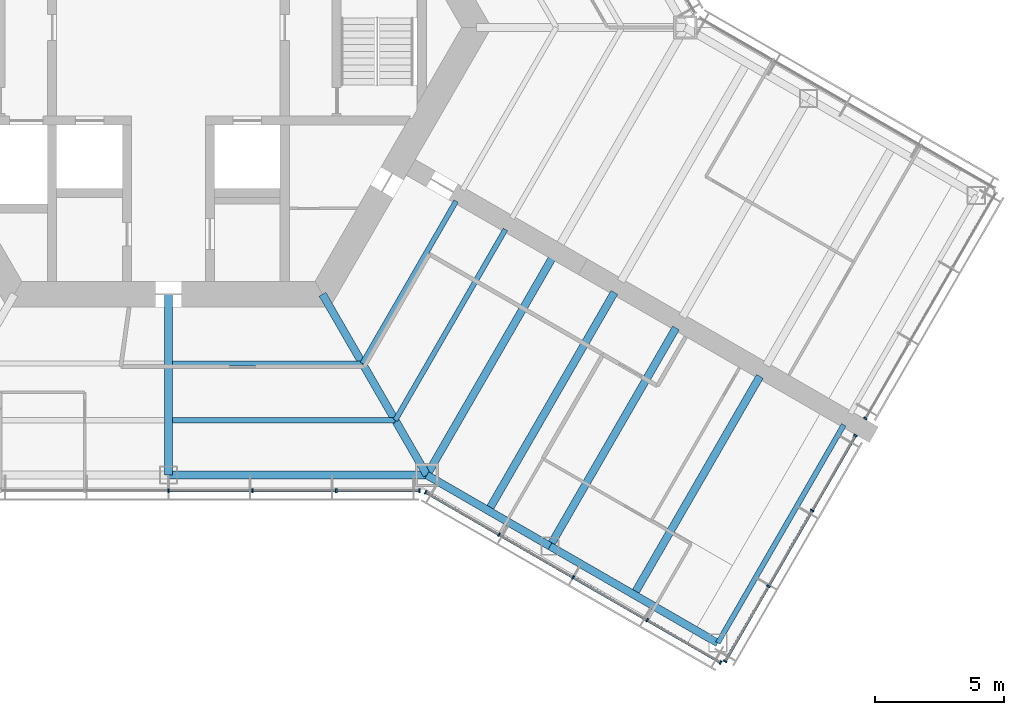
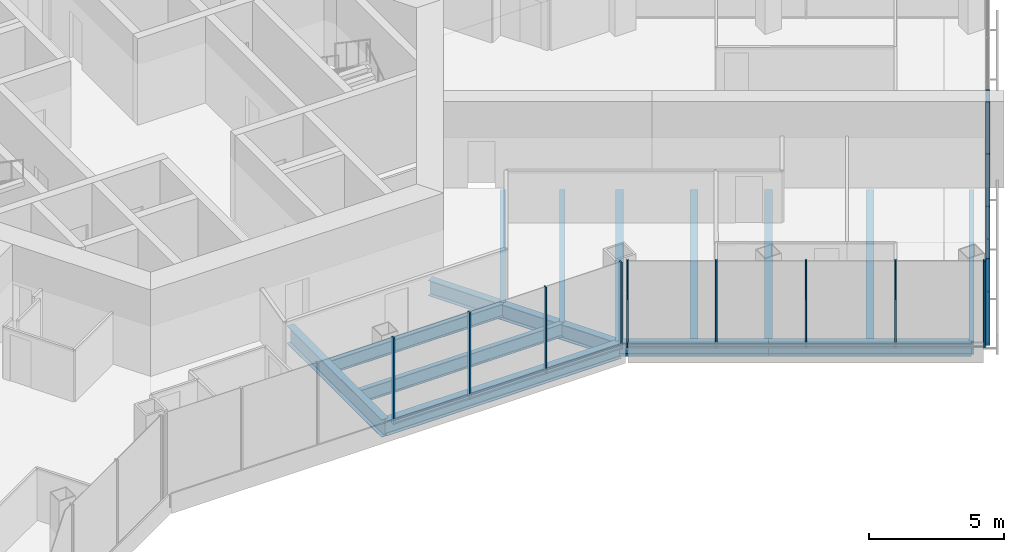
# One storey, part 5 of 18: 24 members, 14 beams, 4 elements without a shape of their own.
"""IFC4 building model written with IfcOpenShell, lengths in metres."""

import ifcopenshell
import ifcopenshell.guid

model = None  # the IFC model being written
_history = None  # IfcOwnerHistory: only IFC2X3 demands one
_inside = {}  # id of a spatial element -> (the spatial element, [elements in it])
_under = {}  # id of a project, library or spatial element -> (it, [spatial elements below it])
_declared = {}  # id of a project -> (the project, [libraries it declares])
_typed = {}  # id of a type object -> (the type object, [elements of that type])
_made_of = {}  # id of a material, layer set ... -> (it, [elements and type objects made of it])


def new_model(schema):
    """Start an empty IFC model of exactly this schema.

    Asked for "IFC4X3", IfcOpenShell would pick the latest addendum, in which some entities
    have other attributes; the version numbers below select the first issue.
    IFC2X3 requires an IfcOwnerHistory on every rooted entity: one is made here for all.
    """
    global model, _history
    if schema == "IFC4X3":
        model = ifcopenshell.file(schema_version=(4, 3, 0, 0))
    else:
        model = ifcopenshell.file(schema=schema)
    _inside.clear()
    _under.clear()
    _declared.clear()
    _typed.clear()
    _made_of.clear()
    _history = None
    if model.schema == "IFC2X3":
        org = make("IfcOrganization", Name="unknown")
        user = make(
            "IfcPersonAndOrganization",
            ThePerson=make("IfcPerson", FamilyName="unknown"),
            TheOrganization=org,
        )
        app = make(
            "IfcApplication",
            ApplicationDeveloper=org,
            Version="unknown",
            ApplicationFullName="unknown",
            ApplicationIdentifier="unknown",
        )
        _history = make(
            "IfcOwnerHistory",
            OwningUser=user,
            OwningApplication=app,
            ChangeAction="ADDED",
            CreationDate=0,
        )
    return model


def make(cls, **values):
    """One entity of the class cls with the attributes given. An attribute that is None is left unset."""
    return model.create_entity(
        cls, **{name: value for name, value in values.items() if value is not None}
    )


def rooted(cls, **values):
    """An entity with a GlobalId (a new one), such as an element, a storey or a relation."""
    return make(cls, GlobalId=ifcopenshell.guid.new(), OwnerHistory=_history, **values)


def si_unit(unit_type, name, prefix=None):
    """IfcSIUnit, for example si_unit("LENGTHUNIT", "METRE", prefix="MILLI")."""
    return make("IfcSIUnit", UnitType=unit_type, Prefix=prefix, Name=name)


def assignment(units):
    """IfcUnitAssignment: the units of a project."""
    return None if units is None else make("IfcUnitAssignment", Units=units)


def point(xyz):
    """IfcCartesianPoint."""
    return None if xyz is None else make("IfcCartesianPoint", Coordinates=xyz)


def direction(xyz):
    """IfcDirection."""
    return None if xyz is None else make("IfcDirection", DirectionRatios=xyz)


def frame(location, z_axis=None, x_axis=None):
    """IfcAxis2Placement3D, a coordinate frame: its origin and axes. An axis left out is left unset."""
    return make(
        "IfcAxis2Placement3D",
        Location=point(location),
        Axis=direction(z_axis),
        RefDirection=direction(x_axis),
    )


def frame_2d(location, x_axis=None):
    """IfcAxis2Placement2D, a coordinate frame in the plane: its origin and x axis."""
    return make(
        "IfcAxis2Placement2D", Location=point(location), RefDirection=direction(x_axis)
    )


def origin():
    """The frame at (0, 0, 0) with its axes left unset."""
    return frame((0.0, 0.0, 0.0))


def origin_2d():
    """The frame at (0, 0) in the plane with its x axis left unset."""
    return frame_2d((0.0, 0.0))


def place(relative_to, where):
    """IfcLocalPlacement: puts the frame where relative to a parent placement (None: the world)."""
    return make(
        "IfcLocalPlacement", PlacementRelTo=relative_to, RelativePlacement=where
    )


def context(
    kind, dimensions, precision=None, world=None, true_north=None, identifier=None
):
    """IfcGeometricRepresentationContext, for example the 3D "Model" context."""
    return make(
        "IfcGeometricRepresentationContext",
        ContextIdentifier=identifier,
        ContextType=kind,
        CoordinateSpaceDimension=dimensions,
        Precision=precision,
        WorldCoordinateSystem=world,
        TrueNorth=true_north,
    )


def subcontext(parent, identifier, kind, view, scale=None):
    """IfcGeometricRepresentationSubContext, for example "Body" below "Model"."""
    return make(
        "IfcGeometricRepresentationSubContext",
        ContextIdentifier=identifier,
        ContextType=kind,
        ParentContext=parent,
        TargetScale=scale,
        TargetView=view,
    )


def project(units=None, contexts=None):
    """IfcProject with its units and contexts."""
    return rooted(
        "IfcProject",
        Name="project",
        RepresentationContexts=contexts,
        UnitsInContext=assignment(units),
    )


def spatial(cls, under=None, at=None, **own):
    """A site, building, storey or space (cls), placed at a placement, below another one or the project."""
    s = rooted(cls, ObjectPlacement=at, **own)
    if under is not None:
        _under.setdefault(under.id(), (under, []))[1].append(s)
    return s


def profile(cls, at=None, kind="AREA", **sizes):
    """A parametric profile (cls). Its sizes go by their IFC names, for example OverallWidth=200.0."""
    return make(cls, ProfileType=kind, Position=at, **sizes)


def rectangle(**sizes):
    """IfcRectangleProfileDef."""
    return profile("IfcRectangleProfileDef", **sizes)


def i_section(**sizes):
    """IfcIShapeProfileDef."""
    return profile("IfcIShapeProfileDef", **sizes)


def extrude(swept, where, along, depth):
    """IfcExtrudedAreaSolid: the profile swept, set in the frame where, extruded along a direction by depth."""
    return make(
        "IfcExtrudedAreaSolid",
        SweptArea=swept,
        Position=where,
        ExtrudedDirection=direction(along),
        Depth=depth,
    )


def shape(context_of_items, identifier, shape_type, items):
    """IfcShapeRepresentation: the items that make up one representation, for example the "Body"."""
    return make(
        "IfcShapeRepresentation",
        ContextOfItems=context_of_items,
        RepresentationIdentifier=identifier,
        RepresentationType=shape_type,
        Items=items,
    )


def material(Name=None, Category=None):
    """IfcMaterial."""
    return make("IfcMaterial", Name=Name, Category=Category)


def material_profile(
    of_material, cross_section, Name=None, Category=None, Priority=None
):
    """IfcMaterialProfile: a cross section and its material."""
    return make(
        "IfcMaterialProfile",
        Name=Name,
        Material=of_material,
        Profile=cross_section,
        Priority=Priority,
        Category=Category,
    )


def profile_set(profiles, Name=None, composite=None):
    """IfcMaterialProfileSet."""
    return make(
        "IfcMaterialProfileSet",
        Name=Name,
        MaterialProfiles=profiles,
        CompositeProfile=composite,
    )


def made_of(thing, what):
    """Note that an element or type object is made of a material, layer set ...; save() writes the relation."""
    if what is not None:
        _made_of.setdefault(what.id(), (what, []))[1].append(thing)
    return thing


def type_object(cls, material=None, **own):
    """A type object (cls), such as IfcWallType, which elements share."""
    return made_of(rooted(cls, **own), material)


def element(
    cls,
    number,
    at=None,
    inside=None,
    cuts=None,
    type_object=None,
    material=None,
    context=None,
    identifier="Body",
    shape_type=None,
    held_by="IfcProductDefinitionShape",
    body=None,
    shapes=None,
    **own,
):
    """One element of the class cls, such as IfcWall. Its Tag is "e" and its number.

    at: its placement. inside: the storey or other place that contains it. cuts: it is an
    opening in that element (IfcRelVoidsElement). A single representation is given by context,
    identifier, shape_type and body (its items); several are given by shapes. held_by: the class
    of the entity that holds the representations. save() writes the other relations.
    """
    e = rooted(cls, Tag="e%d" % number, ObjectPlacement=at, **own)
    if body is not None:
        shapes = [shape(context, identifier, shape_type, body)]
    if shapes is not None:
        e.Representation = make(held_by, Representations=shapes)
    if inside is not None:
        _inside.setdefault(inside.id(), (inside, []))[1].append(e)
    if cuts is not None:
        rooted(
            "IfcRelVoidsElement", RelatingBuildingElement=cuts, RelatedOpeningElement=e
        )
    if type_object is not None:
        _typed.setdefault(type_object.id(), (type_object, []))[1].append(e)
    return made_of(e, material)


def aggregate(whole, parts):
    """IfcRelAggregates: a whole, such as a stair, and the parts it consists of."""
    return rooted("IfcRelAggregates", RelatingObject=whole, RelatedObjects=parts)


def save(model, path):
    """Write the relations noted so far, then the file.

    IfcRelAggregates (storeys below a building ...), IfcRelContainedInSpatialStructure (elements
    in a storey), IfcRelDefinesByType, IfcRelAssociatesMaterial and IfcRelDeclares: one each for
    every whole, place, type object, material and project.
    """
    for whole, parts in _under.values():
        aggregate(whole, parts)
    for where, things in _inside.values():
        rooted(
            "IfcRelContainedInSpatialStructure",
            RelatedElements=things,
            RelatingStructure=where,
        )
    for kind, things in _typed.values():
        rooted("IfcRelDefinesByType", RelatedObjects=things, RelatingType=kind)
    for what, things in _made_of.values():
        rooted("IfcRelAssociatesMaterial", RelatedObjects=things, RelatingMaterial=what)
    for by, libraries in _declared.values():
        rooted("IfcRelDeclares", RelatingContext=by, RelatedDefinitions=libraries)
    model.write(path)


model = new_model("IFC4")

# Units and contexts
model_context = context("Model", 3, precision=1e-05, world=origin(), true_north=direction((0.0, 1.0)))
body_context = subcontext(model_context, "Body", "Model", "MODEL_VIEW")
ifc_project = project(units=[si_unit("LENGTHUNIT", "METRE"), si_unit("AREAUNIT", "SQUARE_METRE"), si_unit("VOLUMEUNIT", "CUBIC_METRE"), si_unit("PLANEANGLEUNIT", "RADIAN"), si_unit("MASSUNIT", "GRAM", prefix="KILO")], contexts=[model_context])

# Site, building, storey
site_placement = place(None, origin())
site = spatial("IfcSite", under=ifc_project, at=site_placement, CompositionType="ELEMENT")
building_placement = place(site_placement, origin())
building = spatial("IfcBuilding", under=site, at=building_placement, Name="Kasaneha Research Tower", CompositionType="ELEMENT")
storey_placement = place(building_placement, frame((0.0, 0.0, 199.39990234375)))
storey = spatial("IfcBuildingStorey", under=building, at=storey_placement, Name="L50", CompositionType="ELEMENT", Elevation=199.39990234375)

# Beams
ifc_material_1 = material(Name="Steel SN490B", Category="steel")
ifc_material_profile_1 = material_profile(ifc_material_1, i_section(OverallWidth=0.199951171875, OverallDepth=0.60009765625, WebThickness=0.010986328125, FlangeThickness=0.01708984375, FilletRadius=0.012939453125, at=origin_2d()), Name="H-600x200x11x17")
ifc_profile_set_1 = profile_set([ifc_material_profile_1], Name="Steel SN490B")
beam_type_1 = type_object("IfcBeamType", Name="B1-3 secondary beam H-600x200x11x17", PredefinedType="JOIST", material=ifc_profile_set_1)
beam_1_placement = place(storey_placement, frame((7.505615234375, -13.0, -0.449951171875), z_axis=(-1.0, 0.0, 0.0), x_axis=(0.0, -1.0, 0.0)))
element("IfcBeam", 1, at=beam_1_placement, inside=storey, type_object=beam_type_1, Name="Secondary beam RS270R1 L50", PredefinedType="JOIST", context=body_context, shape_type="SweptSolid", body=[
    extrude(i_section(OverallWidth=0.199951171875, OverallDepth=0.60009765625, WebThickness=0.010986328125, FlangeThickness=0.01708984375, FilletRadius=0.012939453125, at=origin_2d()), origin(), (0.0, 0.0, 1.0), 7.355712890625),
])
beam_2_placement = place(storey_placement, frame((8.775634765625, -15.199951171875, -0.449951171875), z_axis=(-1.0, 0.0, 0.0), x_axis=(0.0, -1.0, 0.0)))
element("IfcBeam", 2, at=beam_2_placement, inside=storey, type_object=beam_type_1, Name="Secondary beam RS270R2 L50", PredefinedType="JOIST", context=body_context, shape_type="SweptSolid", body=[
    extrude(i_section(OverallWidth=0.199951171875, OverallDepth=0.60009765625, WebThickness=0.010986328125, FlangeThickness=0.01708984375, FilletRadius=0.012939453125, at=origin_2d()), origin(), (0.0, 0.0, 1.0), 8.625732421875),
])
beam_3_placement = place(storey_placement, frame((7.505615234375, -13.0, -0.449951171875), z_axis=(0.499993340521, 0.866029248602, 0.0), x_axis=(-0.866029248602, 0.499993340521, 0.0)))
element("IfcBeam", 3, at=beam_3_placement, inside=storey, type_object=beam_type_1, Name="Secondary beam RS330L1 L50", PredefinedType="JOIST", context=body_context, shape_type="SweptSolid", body=[
    extrude(i_section(OverallWidth=0.199951171875, OverallDepth=0.60009765625, WebThickness=0.010986328125, FlangeThickness=0.01708984375, FilletRadius=0.012939453125, at=origin_2d()), origin(), (0.0, 0.0, 1.0), 7.25537109375),
])
beam_4_placement = place(storey_placement, frame((8.775634765625, -15.199951171875, -0.449951171875), z_axis=(0.500004205306, 0.866022975836, 0.0), x_axis=(-0.866022975836, 0.500004205306, 0.0)))
element("IfcBeam", 4, at=beam_4_placement, inside=storey, type_object=beam_type_1, Name="Secondary beam RS330L2 L50", PredefinedType="JOIST", context=body_context, shape_type="SweptSolid", body=[
    extrude(i_section(OverallWidth=0.199951171875, OverallDepth=0.60009765625, WebThickness=0.010986328125, FlangeThickness=0.01708984375, FilletRadius=0.012939453125, at=origin_2d()), origin(), (0.0, 0.0, 1.0), 8.52587890625),
])
ifc_material_2 = material(Name="Steel SN490B", Category="steel")
ifc_material_profile_2 = material_profile(ifc_material_2, i_section(OverallWidth=0.300048828125, OverallDepth=0.58203125, WebThickness=0.011962890625, FlangeThickness=0.01708984375, FilletRadius=0.012939453125, at=origin_2d()), Name="H-582x300x12x17")
ifc_profile_set_2 = profile_set([ifc_material_profile_2], Name="Steel SN490B")
beam_type_2 = type_object("IfcBeamType", Name="B2-3 secondary beam H-582x300x12x17", PredefinedType="JOIST", material=ifc_profile_set_2)
for number, where, z_axis, x_axis, name in (
    (5, (12.381591796875, -18.695556640625, -0.44091796875), (0.499995560238, 0.866027967067, 0.0), (-0.866027967067, 0.499995560238, 0.0), "Secondary beam WBCP1 L50"),
    (6, (18.0107421875, -21.945556640625, -0.44091796875), (0.499995560238, 0.866027967067, 0.0), (-0.866027967067, 0.499995560238, 0.0), "Secondary beam WBCP2 L50"),
):
    element("IfcBeam", number, at=place(storey_placement, frame(where, z_axis=z_axis, x_axis=x_axis)), inside=storey, type_object=beam_type_2, Name=name, PredefinedType="JOIST", context=body_context, shape_type="SweptSolid", body=[
        extrude(i_section(OverallWidth=0.300048828125, OverallDepth=0.58203125, WebThickness=0.011962890625, FlangeThickness=0.01708984375, FilletRadius=0.012939453125, at=origin_2d()), origin(), (0.0, 0.0, 1.0), 9.75),
    ])

# Curtain wall, members
ifc_material_3 = material(Name="Glass and aluminium", Category="aluminium")
curtain_wall_type = type_object("IfcCurtainWallType", Name="Mid-rise office curtain wall", PredefinedType="USERDEFINED", material=ifc_material_3)
curtain_wall_1_placement = place(storey_placement, origin())
curtain_wall_1 = element("IfcCurtainWall", 7, at=curtain_wall_1_placement, inside=storey, type_object=curtain_wall_type, Name="CW-O2 L50 run 01a", ObjectType="UNITISED CURTAIN WALL", PredefinedType="USERDEFINED")
ifc_material_4 = material(Name="Aluminium 6063-T6", Category="aluminium")
ifc_material_profile_3 = material_profile(ifc_material_4, rectangle(XDim=0.06005859375, YDim=0.14990234375, at=origin_2d()), Name="CW-O2 mullion 60x150")
ifc_profile_set_3 = profile_set([ifc_material_profile_3], Name="Aluminium 6063-T6")
member_type_1 = type_object("IfcMemberType", Name="CW-O2 mullion", PredefinedType="MULLION", material=ifc_profile_set_3)
member_1_placement = place(storey_placement, frame((0.0, -17.92041015625, 0.0), z_axis=(0.0, 0.0, 1.0), x_axis=(1.0, 0.0, 0.0)))
member_1 = element("IfcMember", 8, at=member_1_placement, type_object=member_type_1, Name="CW-O2 mullion 4", PredefinedType="MULLION", context=body_context, shape_type="SweptSolid", body=[
    extrude(rectangle(XDim=0.06005859375, YDim=0.14990234375, at=origin_2d()), origin(), (0.0, 0.0, 1.0), 3.900146484375),
])
member_2_placement = place(storey_placement, frame((3.246337890625, -17.92041015625, 0.0), z_axis=(0.0, 0.0, 1.0), x_axis=(1.0, 0.0, 0.0)))
member_2 = element("IfcMember", 9, at=member_2_placement, type_object=member_type_1, Name="CW-O2 mullion 5", PredefinedType="MULLION", context=body_context, shape_type="SweptSolid", body=[
    extrude(rectangle(XDim=0.06005859375, YDim=0.14990234375, at=origin_2d()), origin(), (0.0, 0.0, 1.0), 3.900146484375),
])
member_3_placement = place(storey_placement, frame((6.492919921875, -17.92041015625, 0.0), z_axis=(0.0, 0.0, 1.0), x_axis=(1.0, 0.0, 0.0)))
member_3 = element("IfcMember", 10, at=member_3_placement, type_object=member_type_1, Name="CW-O2 mullion 6", PredefinedType="MULLION", context=body_context, shape_type="SweptSolid", body=[
    extrude(rectangle(XDim=0.06005859375, YDim=0.14990234375, at=origin_2d()), origin(), (0.0, 0.0, 1.0), 3.900146484375),
])
member_4_placement = place(storey_placement, frame((9.709228515625, -17.92041015625, 0.0), z_axis=(0.0, 0.0, 1.0), x_axis=(1.0, 0.0, 0.0)))
member_4 = element("IfcMember", 11, at=member_4_placement, type_object=member_type_1, Name="CW-O2 mullion 7", PredefinedType="MULLION", context=body_context, shape_type="SweptSolid", body=[
    extrude(rectangle(XDim=0.06005859375, YDim=0.14990234375, at=origin_2d()), origin(), (0.0, 0.0, 1.0), 3.900146484375),
])

curtain_wall_2_placement = place(storey_placement, origin())
curtain_wall_2 = element("IfcCurtainWall", 12, at=curtain_wall_2_placement, inside=storey, type_object=curtain_wall_type, Name="CW-O2 L50 run 02a", ObjectType="UNITISED CURTAIN WALL", PredefinedType="USERDEFINED")
member_5_placement = place(storey_placement, frame((9.951904296875, -17.985595703125, 0.0), z_axis=(0.0, 0.0, 1.0), x_axis=(0.866025411464, -0.499999986699, 0.0)))
member_5 = element("IfcMember", 13, at=member_5_placement, type_object=member_type_1, Name="CW-O2 mullion 1", PredefinedType="MULLION", context=body_context, shape_type="SweptSolid", body=[
    extrude(rectangle(XDim=0.06005859375, YDim=0.14990234375, at=origin_2d()), origin(), (0.0, 0.0, 1.0), 3.900146484375),
])
member_6_placement = place(storey_placement, frame((12.792236328125, -19.62548828125, 0.0), z_axis=(0.0, 0.0, 1.0), x_axis=(0.866025411464, -0.499999986699, 0.0)))
member_6 = element("IfcMember", 14, at=member_6_placement, type_object=member_type_1, Name="CW-O2 mullion 2", PredefinedType="MULLION", context=body_context, shape_type="SweptSolid", body=[
    extrude(rectangle(XDim=0.06005859375, YDim=0.14990234375, at=origin_2d()), origin(), (0.0, 0.0, 1.0), 3.900146484375),
])
member_7_placement = place(storey_placement, frame((15.65869140625, -21.2802734375, 0.0), z_axis=(0.0, 0.0, 1.0), x_axis=(0.866025411464, -0.499999986699, 0.0)))
member_7 = element("IfcMember", 15, at=member_7_placement, type_object=member_type_1, Name="CW-O2 mullion 3", PredefinedType="MULLION", context=body_context, shape_type="SweptSolid", body=[
    extrude(rectangle(XDim=0.06005859375, YDim=0.14990234375, at=origin_2d()), origin(), (0.0, 0.0, 1.0), 3.900146484375),
])
member_8_placement = place(storey_placement, frame((18.52490234375, -22.935302734375, 0.0), z_axis=(0.0, 0.0, 1.0), x_axis=(0.866025411464, -0.499999986699, 0.0)))
member_8 = element("IfcMember", 16, at=member_8_placement, type_object=member_type_1, Name="CW-O2 mullion 4", PredefinedType="MULLION", context=body_context, shape_type="SweptSolid", body=[
    extrude(rectangle(XDim=0.06005859375, YDim=0.14990234375, at=origin_2d()), origin(), (0.0, 0.0, 1.0), 3.900146484375),
])
member_9_placement = place(storey_placement, frame((21.365478515625, -24.5751953125, 0.0), z_axis=(0.0, 0.0, 1.0), x_axis=(0.866025411464, -0.499999986699, 0.0)))
member_9 = element("IfcMember", 17, at=member_9_placement, type_object=member_type_1, Name="CW-O2 mullion 5", PredefinedType="MULLION", context=body_context, shape_type="SweptSolid", body=[
    extrude(rectangle(XDim=0.06005859375, YDim=0.14990234375, at=origin_2d()), origin(), (0.0, 0.0, 1.0), 3.900146484375),
])

curtain_wall_3_placement = place(storey_placement, origin())
curtain_wall_3 = element("IfcCurtainWall", 18, at=curtain_wall_3_placement, inside=storey, type_object=curtain_wall_type, Name="CW-O2 L50 run 03a", ObjectType="UNITISED CURTAIN WALL", PredefinedType="USERDEFINED")
member_10_placement = place(storey_placement, frame((21.54296875, -24.527587890625, 0.0), z_axis=(0.0, 0.0, 1.0), x_axis=(0.500000011442, 0.866025397178, 0.0)))
member_10 = element("IfcMember", 19, at=member_10_placement, type_object=member_type_1, Name="CW-O2 mullion 1", PredefinedType="MULLION", context=body_context, shape_type="SweptSolid", body=[
    extrude(rectangle(XDim=0.06005859375, YDim=0.14990234375, at=origin_2d()), origin(), (0.0, 0.0, 1.0), 3.900146484375),
])
member_11_placement = place(storey_placement, frame((23.2197265625, -21.62353515625, 0.0), z_axis=(0.0, 0.0, 1.0), x_axis=(0.500000011442, 0.866025397178, 0.0)))
member_11 = element("IfcMember", 20, at=member_11_placement, type_object=member_type_1, Name="CW-O2 mullion 2", PredefinedType="MULLION", context=body_context, shape_type="SweptSolid", body=[
    extrude(rectangle(XDim=0.06005859375, YDim=0.14990234375, at=origin_2d()), origin(), (0.0, 0.0, 1.0), 3.900146484375),
])
member_12_placement = place(storey_placement, frame((24.911376953125, -18.693359375, 0.0), z_axis=(0.0, 0.0, 1.0), x_axis=(0.500000011442, 0.866025397178, 0.0)))
member_12 = element("IfcMember", 21, at=member_12_placement, type_object=member_type_1, Name="CW-O2 mullion 3", PredefinedType="MULLION", context=body_context, shape_type="SweptSolid", body=[
    extrude(rectangle(XDim=0.06005859375, YDim=0.14990234375, at=origin_2d()), origin(), (0.0, 0.0, 1.0), 3.900146484375),
])
member_13_placement = place(storey_placement, frame((26.587890625, -15.789306640625, 0.0), z_axis=(0.0, 0.0, 1.0), x_axis=(0.500000011442, 0.866025397178, 0.0)))
member_13 = element("IfcMember", 22, at=member_13_placement, type_object=member_type_1, Name="CW-O2 mullion 4", PredefinedType="MULLION", context=body_context, shape_type="SweptSolid", body=[
    extrude(rectangle(XDim=0.06005859375, YDim=0.14990234375, at=origin_2d()), origin(), (0.0, 0.0, 1.0), 3.900146484375),
])

# Curtain wall, member
curtain_wall_4_placement = place(storey_placement, origin())
curtain_wall_4 = element("IfcCurtainWall", 23, at=curtain_wall_4_placement, inside=storey, type_object=curtain_wall_type, Name="CW-O2 L50 run 04a", ObjectType="UNITISED CURTAIN WALL", PredefinedType="USERDEFINED")
member_14_placement = place(storey_placement, frame((26.968017578125, -15.131103515625, 0.0), z_axis=(0.0, 0.0, 1.0), x_axis=(0.500000011442, 0.866025397178, 0.0)))
member_14 = element("IfcMember", 24, at=member_14_placement, type_object=member_type_1, Name="CW-O2 mullion 1", PredefinedType="MULLION", context=body_context, shape_type="SweptSolid", body=[
    extrude(rectangle(XDim=0.06005859375, YDim=0.14990234375, at=origin_2d()), origin(), (0.0, 0.0, 1.0), 3.900146484375),
])
aggregate(curtain_wall_4, [member_14])

# Member
ifc_material_5 = material(Name="Aluminium 6063-T6", Category="aluminium")
ifc_material_profile_4 = material_profile(ifc_material_5, rectangle(XDim=0.110107421875, YDim=0.06005859375, at=origin_2d()), Name="CW-O2 transom 110x60")
ifc_profile_set_4 = profile_set([ifc_material_profile_4], Name="Aluminium 6063-T6")
member_type_2 = type_object("IfcMemberType", Name="CW-O2 transom", PredefinedType="USERDEFINED", material=ifc_profile_set_4)
member_15_placement = place(storey_placement, frame((0.030029296875, -17.92041015625, 0.030029296875), z_axis=(1.0, 0.0, 0.0), x_axis=(0.0, 1.0, 0.0)))
member_15 = element("IfcMember", 25, at=member_15_placement, type_object=member_type_2, Name="CW-O2 transom 4", ObjectType="TRANSOM", PredefinedType="USERDEFINED", context=body_context, shape_type="SweptSolid", body=[
    extrude(rectangle(XDim=0.110107421875, YDim=0.06005859375, at=origin_2d()), origin(), (0.0, 0.0, 1.0), 3.186279296875),
])

member_16_placement = place(storey_placement, frame((3.2763671875, -17.92041015625, 0.030029296875), z_axis=(1.0, 0.0, 0.0), x_axis=(0.0, 1.0, 0.0)))
member_16 = element("IfcMember", 26, at=member_16_placement, type_object=member_type_2, Name="CW-O2 transom 5", ObjectType="TRANSOM", PredefinedType="USERDEFINED", context=body_context, shape_type="SweptSolid", body=[
    extrude(rectangle(XDim=0.110107421875, YDim=0.06005859375, at=origin_2d()), origin(), (0.0, 0.0, 1.0), 3.1865234375),
])

member_17_placement = place(storey_placement, frame((6.522705078125, -17.92041015625, 0.030029296875), z_axis=(1.0, 0.0, 0.0), x_axis=(0.0, 1.0, 0.0)))
member_17 = element("IfcMember", 27, at=member_17_placement, type_object=member_type_2, Name="CW-O2 transom 6", ObjectType="TRANSOM", PredefinedType="USERDEFINED", context=body_context, shape_type="SweptSolid", body=[
    extrude(rectangle(XDim=0.110107421875, YDim=0.06005859375, at=origin_2d()), origin(), (0.0, 0.0, 1.0), 3.156494140625),
])

aggregate(curtain_wall_1, [member_1, member_2, member_3, member_4, member_15, member_16, member_17])

member_18_placement = place(storey_placement, frame((9.977783203125, -18.00048828125, 0.030029296875), z_axis=(0.866022692473, -0.500004696101, 0.0), x_axis=(0.500004696101, 0.866022692473, 0.0)))
member_18 = element("IfcMember", 28, at=member_18_placement, type_object=member_type_2, Name="CW-O2 transom 1", ObjectType="TRANSOM", PredefinedType="USERDEFINED", context=body_context, shape_type="SweptSolid", body=[
    extrude(rectangle(XDim=0.110107421875, YDim=0.06005859375, at=origin_2d()), origin(), (0.0, 0.0, 1.0), 3.2197265625),
])

member_19_placement = place(storey_placement, frame((12.818115234375, -19.640380859375, 0.030029296875), z_axis=(0.866015446554, -0.500017246033, 0.0), x_axis=(0.500017246033, 0.866015446554, 0.0)))
member_19 = element("IfcMember", 29, at=member_19_placement, type_object=member_type_2, Name="CW-O2 transom 2", ObjectType="TRANSOM", PredefinedType="USERDEFINED", context=body_context, shape_type="SweptSolid", body=[
    extrude(rectangle(XDim=0.110107421875, YDim=0.06005859375, at=origin_2d()), origin(), (0.0, 0.0, 1.0), 3.25),
])

member_20_placement = place(storey_placement, frame((15.6845703125, -21.29541015625, 0.030029296875), z_axis=(0.86604797581, -0.499960902066, 0.0), x_axis=(0.499960902066, 0.86604797581, 0.0)))
member_20 = element("IfcMember", 30, at=member_20_placement, type_object=member_type_2, Name="CW-O2 transom 3", ObjectType="TRANSOM", PredefinedType="USERDEFINED", context=body_context, shape_type="SweptSolid", body=[
    extrude(rectangle(XDim=0.110107421875, YDim=0.06005859375, at=origin_2d()), origin(), (0.0, 0.0, 1.0), 3.249755859375),
])

member_21_placement = place(storey_placement, frame((18.551025390625, -22.9501953125, 0.030029296875), z_axis=(0.866022692473, -0.500004696101, 0.0), x_axis=(0.500004696101, 0.866022692473, 0.0)))
member_21 = element("IfcMember", 31, at=member_21_placement, type_object=member_type_2, Name="CW-O2 transom 4", ObjectType="TRANSOM", PredefinedType="USERDEFINED", context=body_context, shape_type="SweptSolid", body=[
    extrude(rectangle(XDim=0.110107421875, YDim=0.06005859375, at=origin_2d()), origin(), (0.0, 0.0, 1.0), 3.2197265625),
])

aggregate(curtain_wall_2, [member_5, member_6, member_7, member_8, member_9, member_18, member_19, member_20, member_21])

member_22_placement = place(storey_placement, frame((21.557861328125, -24.50146484375, 0.030029296875), z_axis=(0.500021914551, 0.866012751043, 0.0), x_axis=(-0.866012751043, 0.500021914551, 0.0)))
member_22 = element("IfcMember", 32, at=member_22_placement, type_object=member_type_2, Name="CW-O2 transom 1", ObjectType="TRANSOM", PredefinedType="USERDEFINED", context=body_context, shape_type="SweptSolid", body=[
    extrude(rectangle(XDim=0.110107421875, YDim=0.06005859375, at=origin_2d()), origin(), (0.0, 0.0, 1.0), 3.293212890625),
])

member_23_placement = place(storey_placement, frame((23.234619140625, -21.597412109375, 0.030029296875), z_axis=(0.500010745865, 0.866019199568, 0.0), x_axis=(-0.866019199568, 0.500010745865, 0.0)))
member_23 = element("IfcMember", 33, at=member_23_placement, type_object=member_type_2, Name="CW-O2 transom 2", ObjectType="TRANSOM", PredefinedType="USERDEFINED", context=body_context, shape_type="SweptSolid", body=[
    extrude(rectangle(XDim=0.110107421875, YDim=0.06005859375, at=origin_2d()), origin(), (0.0, 0.0, 1.0), 3.3232421875),
])

member_24_placement = place(storey_placement, frame((24.92626953125, -18.66748046875, 0.030029296875), z_axis=(0.500021914551, 0.866012751043, 0.0), x_axis=(-0.866012751043, 0.500021914551, 0.0)))
member_24 = element("IfcMember", 34, at=member_24_placement, type_object=member_type_2, Name="CW-O2 transom 3", ObjectType="TRANSOM", PredefinedType="USERDEFINED", context=body_context, shape_type="SweptSolid", body=[
    extrude(rectangle(XDim=0.110107421875, YDim=0.06005859375, at=origin_2d()), origin(), (0.0, 0.0, 1.0), 3.293212890625),
])

aggregate(curtain_wall_3, [member_10, member_11, member_12, member_13, member_22, member_23, member_24])

# Beams
ifc_material_6 = material(Name="Steel SN490B", Category="steel")
ifc_material_profile_5 = material_profile(ifc_material_6, i_section(OverallWidth=0.300048828125, OverallDepth=0.699951171875, WebThickness=0.012939453125, FlangeThickness=0.02392578125, FilletRadius=0.01806640625, at=origin_2d()), Name="H-700x300x13x24")
ifc_profile_set_5 = profile_set([ifc_material_profile_5], Name="Steel SN490B")
beam_type_3 = type_object("IfcBeamType", Name="G1-3 radial girder H-700x300x13x24", PredefinedType="BEAM", material=ifc_profile_set_5)
beam_5_placement = place(storey_placement, frame((5.961181640625, -10.324951171875, -0.5), z_axis=(0.49999105496, -0.866030568144, 0.0), x_axis=(0.866030568144, 0.49999105496, 0.0)))
element("IfcBeam", 35, at=beam_5_placement, inside=storey, type_object=beam_type_3, Name="Radial girder RV300 L50", PredefinedType="BEAM", context=body_context, shape_type="SweptSolid", body=[
    extrude(i_section(OverallWidth=0.300048828125, OverallDepth=0.699951171875, WebThickness=0.012939453125, FlangeThickness=0.02392578125, FilletRadius=0.01806640625, at=origin_2d()), origin(), (0.0, 0.0, 1.0), 8.077880859375),
])
ifc_material_7 = material(Name="Steel SN490B", Category="steel")
ifc_material_profile_6 = material_profile(ifc_material_7, i_section(OverallWidth=0.300048828125, OverallDepth=0.800048828125, WebThickness=0.013916015625, FlangeThickness=0.02587890625, FilletRadius=0.01806640625, at=origin_2d()), Name="H-800x300x14x26")
ifc_profile_set_6 = profile_set([ifc_material_profile_6], Name="Steel SN490B")
beam_type_4 = type_object("IfcBeamType", Name="G2-3 radial girder H-800x300x14x26", PredefinedType="BEAM", material=ifc_profile_set_6)
beam_6_placement = place(storey_placement, frame((0.0, -10.324951171875, -0.5498046875), z_axis=(0.0, -1.0, 0.0), x_axis=(1.0, 0.0, 0.0)))
element("IfcBeam", 36, at=beam_6_placement, inside=storey, type_object=beam_type_4, Name="Radial girder RM270 L50", PredefinedType="BEAM", context=body_context, shape_type="SweptSolid", body=[
    extrude(i_section(OverallWidth=0.300048828125, OverallDepth=0.800048828125, WebThickness=0.013916015625, FlangeThickness=0.02587890625, FilletRadius=0.01806640625, at=origin_2d()), origin(), (0.0, 0.0, 1.0), 6.99560546875),
])
ifc_material_8 = material(Name="Steel SN490B", Category="steel")
ifc_material_profile_7 = material_profile(ifc_material_8, i_section(OverallWidth=0.300048828125, OverallDepth=0.69189453125, WebThickness=0.012939453125, FlangeThickness=0.02001953125, FilletRadius=0.01806640625, at=origin_2d()), Name="H-692x300x13x20")
ifc_profile_set_7 = profile_set([ifc_material_profile_7], Name="Steel SN490B")
beam_type_5 = type_object("IfcBeamType", Name="G3-3 plate edge girder H-692x300x13x20", PredefinedType="BEAM", material=ifc_profile_set_7)
beam_7_placement = place(storey_placement, frame((10.0, -17.320556640625, -0.495849609375), z_axis=(0.499995560238, 0.866027967067, 0.0), x_axis=(-0.866027967067, 0.499995560238, 0.0)))
element("IfcBeam", 37, at=beam_7_placement, inside=storey, type_object=beam_type_5, Name="Plate edge girder PECP L50", PredefinedType="BEAM", context=body_context, shape_type="SweptSolid", body=[
    extrude(i_section(OverallWidth=0.300048828125, OverallDepth=0.69189453125, WebThickness=0.012939453125, FlangeThickness=0.02001953125, FilletRadius=0.01806640625, at=origin_2d()), origin(), (0.0, 0.0, 1.0), 9.75),
])
ifc_material_9 = material(Name="Steel SN490B", Category="steel")
ifc_material_profile_8 = material_profile(ifc_material_9, i_section(OverallWidth=0.300048828125, OverallDepth=0.699951171875, WebThickness=0.012939453125, FlangeThickness=0.02392578125, FilletRadius=0.01806640625, at=origin_2d()), Name="H-700x300x13x24")
ifc_profile_set_8 = profile_set([ifc_material_profile_8], Name="Steel SN490B")
beam_type_6 = type_object("IfcBeamType", Name="G4-3 wing girder H-700x300x13x24", PredefinedType="BEAM", material=ifc_profile_set_8)
beam_8_placement = place(storey_placement, frame((14.76318359375, -20.070556640625, -0.5), z_axis=(0.499995560238, 0.866027967067, 0.0), x_axis=(-0.866027967067, 0.499995560238, 0.0)))
element("IfcBeam", 38, at=beam_8_placement, inside=storey, type_object=beam_type_6, Name="Wing girder WGCP L50", PredefinedType="BEAM", context=body_context, shape_type="SweptSolid", body=[
    extrude(i_section(OverallWidth=0.300048828125, OverallDepth=0.699951171875, WebThickness=0.012939453125, FlangeThickness=0.02392578125, FilletRadius=0.01806640625, at=origin_2d()), origin(), (0.0, 0.0, 1.0), 9.75),
])
ifc_material_10 = material(Name="Steel SN490B", Category="steel")
ifc_material_profile_9 = material_profile(ifc_material_10, i_section(OverallWidth=0.300048828125, OverallDepth=0.69189453125, WebThickness=0.012939453125, FlangeThickness=0.02001953125, FilletRadius=0.01806640625, at=origin_2d()), Name="H-692x300x13x20")
ifc_profile_set_9 = profile_set([ifc_material_profile_9], Name="Steel SN490B")
beam_type_7 = type_object("IfcBeamType", Name="SB1-3 spandrel beam H-692x300x13x20", PredefinedType="SPANDREL", material=ifc_profile_set_9)
beam_9_placement = place(storey_placement, frame((10.0, -17.320556640625, -0.495849609375), z_axis=(-1.0, 0.0, 0.0), x_axis=(0.0, -1.0, 0.0)))
element("IfcBeam", 39, at=beam_9_placement, inside=storey, type_object=beam_type_7, Name="Spandrel beam SR270R L50", PredefinedType="SPANDREL", context=body_context, shape_type="SweptSolid", body=[
    extrude(i_section(OverallWidth=0.300048828125, OverallDepth=0.69189453125, WebThickness=0.012939453125, FlangeThickness=0.02001953125, FilletRadius=0.01806640625, at=origin_2d()), origin(), (0.0, 0.0, 1.0), 10.0),
])
ifc_material_11 = material(Name="Steel SN490B", Category="steel")
ifc_material_profile_10 = material_profile(ifc_material_11, i_section(OverallWidth=0.300048828125, OverallDepth=0.58203125, WebThickness=0.011962890625, FlangeThickness=0.01708984375, FilletRadius=0.012939453125, at=origin_2d()), Name="H-582x300x12x17")
ifc_profile_set_10 = profile_set([ifc_material_profile_10], Name="Steel SN490B")
beam_type_8 = type_object("IfcBeamType", Name="SB2-3 spandrel beam H-582x300x12x17", PredefinedType="SPANDREL", material=ifc_profile_set_10)
beam_10_placement = place(storey_placement, frame((10.0, -17.320556640625, -0.44091796875), z_axis=(0.866027397988, -0.499996545922, 0.0), x_axis=(0.499996545922, 0.866027397988, 0.0)))
element("IfcBeam", 40, at=beam_10_placement, inside=storey, type_object=beam_type_8, Name="Spandrel beam WSCP1 L50", PredefinedType="SPANDREL", context=body_context, shape_type="SweptSolid", body=[
    extrude(i_section(OverallWidth=0.300048828125, OverallDepth=0.58203125, WebThickness=0.011962890625, FlangeThickness=0.01708984375, FilletRadius=0.012939453125, at=origin_2d()), origin(), (0.0, 0.0, 1.0), 5.5),
])
beam_11_placement = place(storey_placement, frame((14.76318359375, -20.070556640625, -0.44091796875), z_axis=(0.866022959057, -0.500004234368, 0.0), x_axis=(0.500004234368, 0.866022959057, 0.0)))
element("IfcBeam", 41, at=beam_11_placement, inside=storey, type_object=beam_type_8, Name="Spandrel beam WSCP2 L50", PredefinedType="SPANDREL", context=body_context, shape_type="SweptSolid", body=[
    extrude(i_section(OverallWidth=0.300048828125, OverallDepth=0.58203125, WebThickness=0.011962890625, FlangeThickness=0.01708984375, FilletRadius=0.012939453125, at=origin_2d()), origin(), (0.0, 0.0, 1.0), 7.5),
])
ifc_material_12 = material(Name="Steel SN490B", Category="steel")
ifc_material_profile_11 = material_profile(ifc_material_12, i_section(OverallWidth=0.199951171875, OverallDepth=0.60009765625, WebThickness=0.010986328125, FlangeThickness=0.01708984375, FilletRadius=0.012939453125, at=origin_2d()), Name="H-600x200x11x17")
ifc_profile_set_11 = profile_set([ifc_material_profile_11], Name="Steel SN490B")
beam_type_9 = type_object("IfcBeamType", Name="SB3-3 spandrel beam H-600x200x11x17", PredefinedType="SPANDREL", material=ifc_profile_set_11)
beam_12_placement = place(storey_placement, frame((21.25830078125, -23.820556640625, -0.449951171875), z_axis=(0.499995560238, 0.866027967067, 0.0), x_axis=(-0.866027967067, 0.499995560238, 0.0)))
element("IfcBeam", 42, at=beam_12_placement, inside=storey, type_object=beam_type_9, Name="Spandrel beam WTCP L50", PredefinedType="SPANDREL", context=body_context, shape_type="SweptSolid", body=[
    extrude(i_section(OverallWidth=0.199951171875, OverallDepth=0.60009765625, WebThickness=0.010986328125, FlangeThickness=0.01708984375, FilletRadius=0.012939453125, at=origin_2d()), origin(), (0.0, 0.0, 1.0), 9.75),
])

save(model, "model.ifc")
